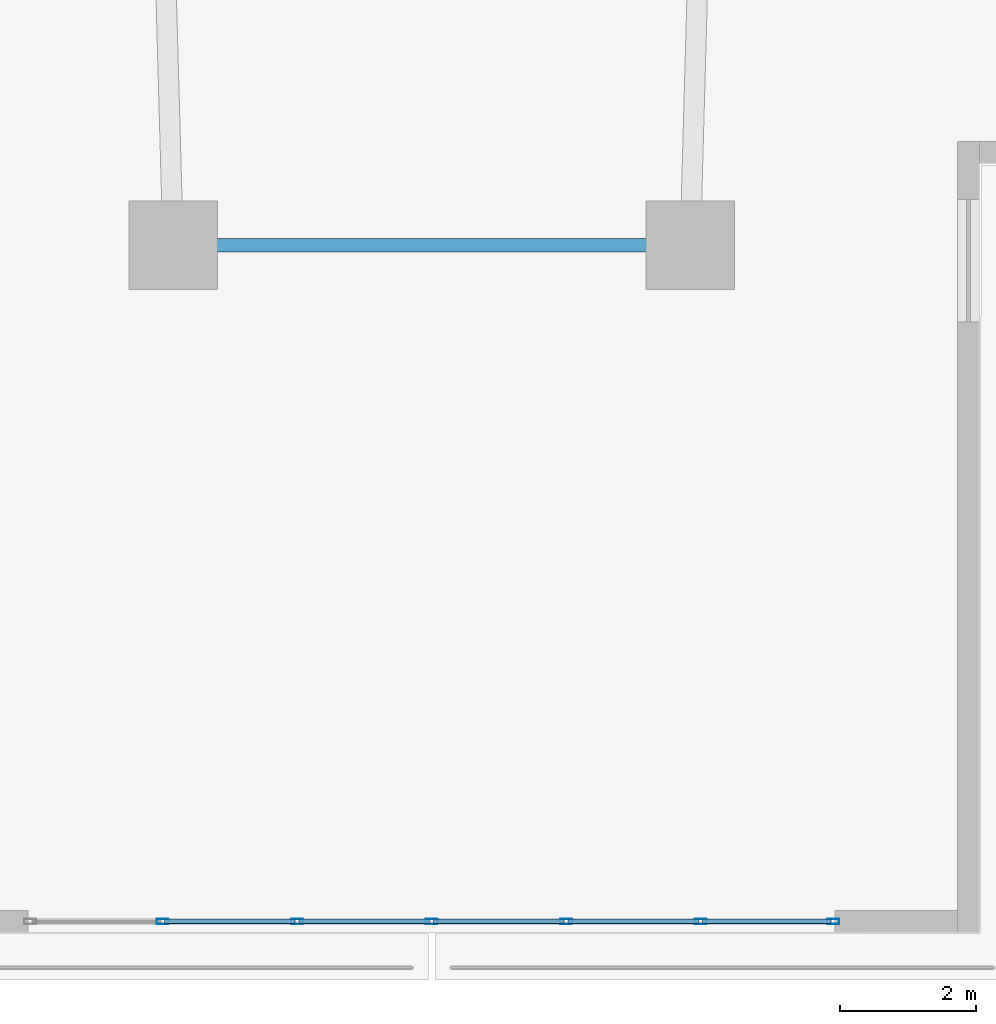
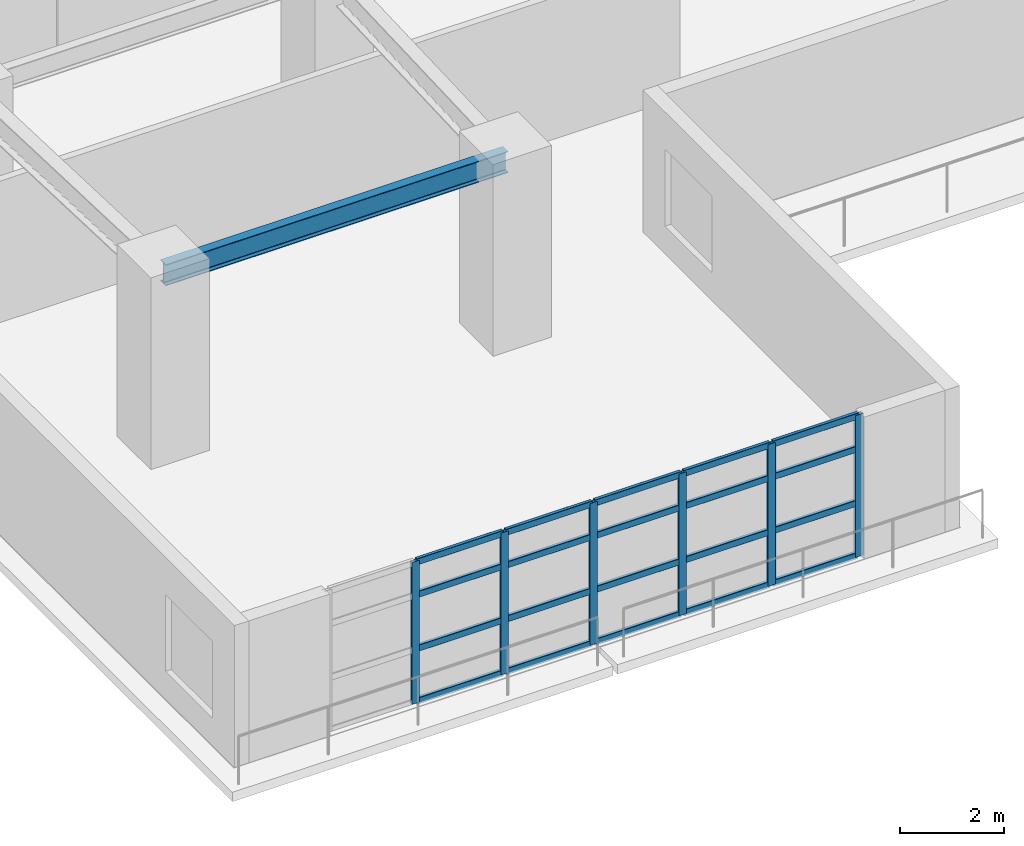
# One storey, part 5 of 24: 26 members, 1 beam, 1 element without a shape of its own.
"""IFC4 building model written with IfcOpenShell, lengths in metres."""

from ifc_helpers import new_model, si_unit, direction, frame, origin, origin_2d, place, context, subcontext, project, spatial, hollow_rectangle, i_section, extrude, material, layer, layer_set, material_profile, profile_set, type_object, element, aggregate, save


model = new_model("IFC4")

# Units and contexts
model_context = context("Model", 3, precision=1e-05, world=origin(), true_north=direction((0.0, 1.0)))
body_context = subcontext(model_context, "Body", "Model", "MODEL_VIEW")
ifc_project = project(units=[si_unit("LENGTHUNIT", "METRE"), si_unit("AREAUNIT", "SQUARE_METRE"), si_unit("VOLUMEUNIT", "CUBIC_METRE"), si_unit("PLANEANGLEUNIT", "RADIAN"), si_unit("MASSUNIT", "GRAM", prefix="KILO")], contexts=[model_context])

# Site, building, storey
site_placement = place(None, origin())
site = spatial("IfcSite", under=ifc_project, at=site_placement, CompositionType="ELEMENT")
building_placement = place(site_placement, origin())
building = spatial("IfcBuilding", under=site, at=building_placement, Name="Qingluan Cross Belvedere", CompositionType="ELEMENT")
storey_placement = place(building_placement, frame((0.0, 0.0, 14.699951171875)))
storey = spatial("IfcBuildingStorey", under=building, at=storey_placement, Name="L04", CompositionType="ELEMENT", Elevation=14.699951171875)

# Curtain wall, members
ifc_material_1 = material(Name="Thermally broken aluminium and Low-E glass", Category="aluminium")
ifc_layer = layer(ifc_material_1, 0.219970703125, Name="UnitisedCW_BallroomFoyer")
ifc_layer_set = layer_set([ifc_layer], Name="Thermally broken aluminium and Low-E glass")
curtain_wall_type = type_object("IfcCurtainWallType", Name="UnitisedCW_BallroomFoyer", PredefinedType="USERDEFINED", material=ifc_layer_set)
curtain_wall_placement = place(storey_placement, origin())
curtain_wall = element("IfcCurtainWall", 1, at=curtain_wall_placement, inside=storey, type_object=curtain_wall_type, Name="UnitisedCW_BallroomFoyer run env:cw:L04:S", ObjectType="UNITISED CURTAIN WALL", PredefinedType="USERDEFINED")
ifc_material_2 = material(Name="Aluminium alloy 6063-T6", Category="aluminium")
ifc_material_profile_1 = material_profile(ifc_material_2, hollow_rectangle(XDim=0.074951171875, YDim=0.179931640625, WallThickness=0.00390625, InnerFilletRadius=0.00390625, OuterFilletRadius=0.008056640625, at=origin_2d()), Name="CWM180x75x4")
ifc_profile_set_1 = profile_set([ifc_material_profile_1], Name="Aluminium alloy 6063-T6")
member_type_1 = type_object("IfcMemberType", Name="CWMullion_180", PredefinedType="MULLION", material=ifc_profile_set_1)
member_1_placement = place(storey_placement, frame((5.89990234375, -36.93994140625, 0.0), z_axis=(0.0, 0.0, 1.0), x_axis=(0.0, -1.0, 0.0)))
member_1 = element("IfcMember", 2, at=member_1_placement, type_object=member_type_1, Name="CW-P2 mullion 1", PredefinedType="MULLION", context=body_context, shape_type="SweptSolid", body=[
    extrude(hollow_rectangle(XDim=0.074951171875, YDim=0.179931640625, WallThickness=0.00390625, InnerFilletRadius=0.00390625, OuterFilletRadius=0.008056640625, at=origin_2d()), origin(), (0.0, 0.0, 1.0), 3.330078125),
])
member_2_placement = place(storey_placement, frame((3.953369140625, -36.93994140625, 0.0), z_axis=(0.0, 0.0, 1.0), x_axis=(0.0, -1.0, 0.0)))
member_2 = element("IfcMember", 3, at=member_2_placement, type_object=member_type_1, Name="CW-P2 mullion 2", PredefinedType="MULLION", context=body_context, shape_type="SweptSolid", body=[
    extrude(hollow_rectangle(XDim=0.074951171875, YDim=0.179931640625, WallThickness=0.00390625, InnerFilletRadius=0.00390625, OuterFilletRadius=0.008056640625, at=origin_2d()), origin(), (0.0, 0.0, 1.0), 3.330078125),
])
member_3_placement = place(storey_placement, frame((1.9765625, -36.93994140625, 0.0), z_axis=(0.0, 0.0, 1.0), x_axis=(0.0, -1.0, 0.0)))
member_3 = element("IfcMember", 4, at=member_3_placement, type_object=member_type_1, Name="CW-P2 mullion 3", PredefinedType="MULLION", context=body_context, shape_type="SweptSolid", body=[
    extrude(hollow_rectangle(XDim=0.074951171875, YDim=0.179931640625, WallThickness=0.00390625, InnerFilletRadius=0.00390625, OuterFilletRadius=0.008056640625, at=origin_2d()), origin(), (0.0, 0.0, 1.0), 3.330078125),
])
member_4_placement = place(storey_placement, frame((0.0, -36.93994140625, 0.0), z_axis=(0.0, 0.0, 1.0), x_axis=(0.0, -1.0, 0.0)))
member_4 = element("IfcMember", 5, at=member_4_placement, type_object=member_type_1, Name="CW-P2 mullion 4", PredefinedType="MULLION", context=body_context, shape_type="SweptSolid", body=[
    extrude(hollow_rectangle(XDim=0.074951171875, YDim=0.179931640625, WallThickness=0.00390625, InnerFilletRadius=0.00390625, OuterFilletRadius=0.008056640625, at=origin_2d()), origin(), (0.0, 0.0, 1.0), 3.330078125),
])
member_5_placement = place(storey_placement, frame((-1.9765625, -36.93994140625, 0.0), z_axis=(0.0, 0.0, 1.0), x_axis=(0.0, -1.0, 0.0)))
member_5 = element("IfcMember", 6, at=member_5_placement, type_object=member_type_1, Name="CW-P2 mullion 5", PredefinedType="MULLION", context=body_context, shape_type="SweptSolid", body=[
    extrude(hollow_rectangle(XDim=0.074951171875, YDim=0.179931640625, WallThickness=0.00390625, InnerFilletRadius=0.00390625, OuterFilletRadius=0.008056640625, at=origin_2d()), origin(), (0.0, 0.0, 1.0), 3.330078125),
])
member_6_placement = place(storey_placement, frame((-3.953369140625, -36.93994140625, 0.0), z_axis=(0.0, 0.0, 1.0), x_axis=(0.0, -1.0, 0.0)))
member_6 = element("IfcMember", 7, at=member_6_placement, type_object=member_type_1, Name="CW-P2 mullion 6", PredefinedType="MULLION", context=body_context, shape_type="SweptSolid", body=[
    extrude(hollow_rectangle(XDim=0.074951171875, YDim=0.179931640625, WallThickness=0.00390625, InnerFilletRadius=0.00390625, OuterFilletRadius=0.008056640625, at=origin_2d()), origin(), (0.0, 0.0, 1.0), 3.330078125),
])
ifc_material_3 = material(Name="Aluminium alloy 6063-T6", Category="aluminium")
ifc_material_profile_2 = material_profile(ifc_material_3, hollow_rectangle(XDim=0.074951171875, YDim=0.14990234375, WallThickness=0.00390625, InnerFilletRadius=0.00390625, OuterFilletRadius=0.008056640625, at=origin_2d()), Name="CWT150x75x4")
ifc_profile_set_2 = profile_set([ifc_material_profile_2], Name="Aluminium alloy 6063-T6")
member_type_2 = type_object("IfcMemberType", Name="CWTransom_150", PredefinedType="USERDEFINED", material=ifc_profile_set_2)
member_7_placement = place(storey_placement, frame((5.8701171875, -36.93994140625, 0.030029296875), z_axis=(-1.0, 0.0, 0.0), x_axis=(0.0, -1.0, 0.0)))
member_7 = element("IfcMember", 8, at=member_7_placement, type_object=member_type_2, Name="CW-P2 transom 1.1", ObjectType="TRANSOM", PredefinedType="USERDEFINED", context=body_context, shape_type="SweptSolid", body=[
    extrude(hollow_rectangle(XDim=0.074951171875, YDim=0.14990234375, WallThickness=0.00390625, InnerFilletRadius=0.00390625, OuterFilletRadius=0.008056640625, at=origin_2d()), origin(), (0.0, 0.0, 1.0), 1.88671875),
])
member_8_placement = place(storey_placement, frame((5.8701171875, -36.93994140625, 1.26513671875), z_axis=(-1.0, 0.0, 0.0), x_axis=(0.0, -1.0, 0.0)))
member_8 = element("IfcMember", 9, at=member_8_placement, type_object=member_type_2, Name="CW-P2 transom 1.2", ObjectType="TRANSOM", PredefinedType="USERDEFINED", context=body_context, shape_type="SweptSolid", body=[
    extrude(hollow_rectangle(XDim=0.074951171875, YDim=0.14990234375, WallThickness=0.00390625, InnerFilletRadius=0.00390625, OuterFilletRadius=0.008056640625, at=origin_2d()), origin(), (0.0, 0.0, 1.0), 1.88671875),
])
member_9_placement = place(storey_placement, frame((5.8701171875, -36.93994140625, 2.531005859375), z_axis=(-1.0, 0.0, 0.0), x_axis=(0.0, -1.0, 0.0)))
member_9 = element("IfcMember", 10, at=member_9_placement, type_object=member_type_2, Name="CW-P2 transom 1.3", ObjectType="TRANSOM", PredefinedType="USERDEFINED", context=body_context, shape_type="SweptSolid", body=[
    extrude(hollow_rectangle(XDim=0.074951171875, YDim=0.14990234375, WallThickness=0.00390625, InnerFilletRadius=0.00390625, OuterFilletRadius=0.008056640625, at=origin_2d()), origin(), (0.0, 0.0, 1.0), 1.88671875),
])
member_10_placement = place(storey_placement, frame((5.8701171875, -36.93994140625, 3.300048828125), z_axis=(-1.0, 0.0, 0.0), x_axis=(0.0, -1.0, 0.0)))
member_10 = element("IfcMember", 11, at=member_10_placement, type_object=member_type_2, Name="CW-P2 transom 1.4", ObjectType="TRANSOM", PredefinedType="USERDEFINED", context=body_context, shape_type="SweptSolid", body=[
    extrude(hollow_rectangle(XDim=0.074951171875, YDim=0.14990234375, WallThickness=0.00390625, InnerFilletRadius=0.00390625, OuterFilletRadius=0.008056640625, at=origin_2d()), origin(), (0.0, 0.0, 1.0), 1.88671875),
])
member_11_placement = place(storey_placement, frame((3.92333984375, -36.93994140625, 0.030029296875), z_axis=(-1.0, 0.0, 0.0), x_axis=(0.0, -1.0, 0.0)))
member_11 = element("IfcMember", 12, at=member_11_placement, type_object=member_type_2, Name="CW-P2 transom 2.1", ObjectType="TRANSOM", PredefinedType="USERDEFINED", context=body_context, shape_type="SweptSolid", body=[
    extrude(hollow_rectangle(XDim=0.074951171875, YDim=0.14990234375, WallThickness=0.00390625, InnerFilletRadius=0.00390625, OuterFilletRadius=0.008056640625, at=origin_2d()), origin(), (0.0, 0.0, 1.0), 1.916748046875),
])
member_12_placement = place(storey_placement, frame((3.92333984375, -36.93994140625, 1.26513671875), z_axis=(-1.0, 0.0, 0.0), x_axis=(0.0, -1.0, 0.0)))
member_12 = element("IfcMember", 13, at=member_12_placement, type_object=member_type_2, Name="CW-P2 transom 2.2", ObjectType="TRANSOM", PredefinedType="USERDEFINED", context=body_context, shape_type="SweptSolid", body=[
    extrude(hollow_rectangle(XDim=0.074951171875, YDim=0.14990234375, WallThickness=0.00390625, InnerFilletRadius=0.00390625, OuterFilletRadius=0.008056640625, at=origin_2d()), origin(), (0.0, 0.0, 1.0), 1.916748046875),
])
member_13_placement = place(storey_placement, frame((3.92333984375, -36.93994140625, 2.531005859375), z_axis=(-1.0, 0.0, 0.0), x_axis=(0.0, -1.0, 0.0)))
member_13 = element("IfcMember", 14, at=member_13_placement, type_object=member_type_2, Name="CW-P2 transom 2.3", ObjectType="TRANSOM", PredefinedType="USERDEFINED", context=body_context, shape_type="SweptSolid", body=[
    extrude(hollow_rectangle(XDim=0.074951171875, YDim=0.14990234375, WallThickness=0.00390625, InnerFilletRadius=0.00390625, OuterFilletRadius=0.008056640625, at=origin_2d()), origin(), (0.0, 0.0, 1.0), 1.916748046875),
])
member_14_placement = place(storey_placement, frame((3.92333984375, -36.93994140625, 3.300048828125), z_axis=(-1.0, 0.0, 0.0), x_axis=(0.0, -1.0, 0.0)))
member_14 = element("IfcMember", 15, at=member_14_placement, type_object=member_type_2, Name="CW-P2 transom 2.4", ObjectType="TRANSOM", PredefinedType="USERDEFINED", context=body_context, shape_type="SweptSolid", body=[
    extrude(hollow_rectangle(XDim=0.074951171875, YDim=0.14990234375, WallThickness=0.00390625, InnerFilletRadius=0.00390625, OuterFilletRadius=0.008056640625, at=origin_2d()), origin(), (0.0, 0.0, 1.0), 1.916748046875),
])
member_15_placement = place(storey_placement, frame((1.94677734375, -36.93994140625, 0.030029296875), z_axis=(-1.0, 0.0, 0.0), x_axis=(0.0, -1.0, 0.0)))
member_15 = element("IfcMember", 16, at=member_15_placement, type_object=member_type_2, Name="CW-P2 transom 3.1", ObjectType="TRANSOM", PredefinedType="USERDEFINED", context=body_context, shape_type="SweptSolid", body=[
    extrude(hollow_rectangle(XDim=0.074951171875, YDim=0.14990234375, WallThickness=0.00390625, InnerFilletRadius=0.00390625, OuterFilletRadius=0.008056640625, at=origin_2d()), origin(), (0.0, 0.0, 1.0), 1.916748046875),
])
member_16_placement = place(storey_placement, frame((1.94677734375, -36.93994140625, 1.26513671875), z_axis=(-1.0, 0.0, 0.0), x_axis=(0.0, -1.0, 0.0)))
member_16 = element("IfcMember", 17, at=member_16_placement, type_object=member_type_2, Name="CW-P2 transom 3.2", ObjectType="TRANSOM", PredefinedType="USERDEFINED", context=body_context, shape_type="SweptSolid", body=[
    extrude(hollow_rectangle(XDim=0.074951171875, YDim=0.14990234375, WallThickness=0.00390625, InnerFilletRadius=0.00390625, OuterFilletRadius=0.008056640625, at=origin_2d()), origin(), (0.0, 0.0, 1.0), 1.916748046875),
])
member_17_placement = place(storey_placement, frame((1.94677734375, -36.93994140625, 2.531005859375), z_axis=(-1.0, 0.0, 0.0), x_axis=(0.0, -1.0, 0.0)))
member_17 = element("IfcMember", 18, at=member_17_placement, type_object=member_type_2, Name="CW-P2 transom 3.3", ObjectType="TRANSOM", PredefinedType="USERDEFINED", context=body_context, shape_type="SweptSolid", body=[
    extrude(hollow_rectangle(XDim=0.074951171875, YDim=0.14990234375, WallThickness=0.00390625, InnerFilletRadius=0.00390625, OuterFilletRadius=0.008056640625, at=origin_2d()), origin(), (0.0, 0.0, 1.0), 1.916748046875),
])
member_18_placement = place(storey_placement, frame((1.94677734375, -36.93994140625, 3.300048828125), z_axis=(-1.0, 0.0, 0.0), x_axis=(0.0, -1.0, 0.0)))
member_18 = element("IfcMember", 19, at=member_18_placement, type_object=member_type_2, Name="CW-P2 transom 3.4", ObjectType="TRANSOM", PredefinedType="USERDEFINED", context=body_context, shape_type="SweptSolid", body=[
    extrude(hollow_rectangle(XDim=0.074951171875, YDim=0.14990234375, WallThickness=0.00390625, InnerFilletRadius=0.00390625, OuterFilletRadius=0.008056640625, at=origin_2d()), origin(), (0.0, 0.0, 1.0), 1.916748046875),
])
member_19_placement = place(storey_placement, frame((-0.030029296875, -36.93994140625, 0.030029296875), z_axis=(-1.0, 0.0, 0.0), x_axis=(0.0, -1.0, 0.0)))
member_19 = element("IfcMember", 20, at=member_19_placement, type_object=member_type_2, Name="CW-P2 transom 4.1", ObjectType="TRANSOM", PredefinedType="USERDEFINED", context=body_context, shape_type="SweptSolid", body=[
    extrude(hollow_rectangle(XDim=0.074951171875, YDim=0.14990234375, WallThickness=0.00390625, InnerFilletRadius=0.00390625, OuterFilletRadius=0.008056640625, at=origin_2d()), origin(), (0.0, 0.0, 1.0), 1.916748046875),
])
member_20_placement = place(storey_placement, frame((-0.030029296875, -36.93994140625, 1.26513671875), z_axis=(-1.0, 0.0, 0.0), x_axis=(0.0, -1.0, 0.0)))
member_20 = element("IfcMember", 21, at=member_20_placement, type_object=member_type_2, Name="CW-P2 transom 4.2", ObjectType="TRANSOM", PredefinedType="USERDEFINED", context=body_context, shape_type="SweptSolid", body=[
    extrude(hollow_rectangle(XDim=0.074951171875, YDim=0.14990234375, WallThickness=0.00390625, InnerFilletRadius=0.00390625, OuterFilletRadius=0.008056640625, at=origin_2d()), origin(), (0.0, 0.0, 1.0), 1.916748046875),
])
member_21_placement = place(storey_placement, frame((-0.030029296875, -36.93994140625, 2.531005859375), z_axis=(-1.0, 0.0, 0.0), x_axis=(0.0, -1.0, 0.0)))
member_21 = element("IfcMember", 22, at=member_21_placement, type_object=member_type_2, Name="CW-P2 transom 4.3", ObjectType="TRANSOM", PredefinedType="USERDEFINED", context=body_context, shape_type="SweptSolid", body=[
    extrude(hollow_rectangle(XDim=0.074951171875, YDim=0.14990234375, WallThickness=0.00390625, InnerFilletRadius=0.00390625, OuterFilletRadius=0.008056640625, at=origin_2d()), origin(), (0.0, 0.0, 1.0), 1.916748046875),
])
member_22_placement = place(storey_placement, frame((-0.030029296875, -36.93994140625, 3.300048828125), z_axis=(-1.0, 0.0, 0.0), x_axis=(0.0, -1.0, 0.0)))
member_22 = element("IfcMember", 23, at=member_22_placement, type_object=member_type_2, Name="CW-P2 transom 4.4", ObjectType="TRANSOM", PredefinedType="USERDEFINED", context=body_context, shape_type="SweptSolid", body=[
    extrude(hollow_rectangle(XDim=0.074951171875, YDim=0.14990234375, WallThickness=0.00390625, InnerFilletRadius=0.00390625, OuterFilletRadius=0.008056640625, at=origin_2d()), origin(), (0.0, 0.0, 1.0), 1.916748046875),
])
member_23_placement = place(storey_placement, frame((-2.006591796875, -36.93994140625, 0.030029296875), z_axis=(-1.0, 0.0, 0.0), x_axis=(0.0, -1.0, 0.0)))
member_23 = element("IfcMember", 24, at=member_23_placement, type_object=member_type_2, Name="CW-P2 transom 5.1", ObjectType="TRANSOM", PredefinedType="USERDEFINED", context=body_context, shape_type="SweptSolid", body=[
    extrude(hollow_rectangle(XDim=0.074951171875, YDim=0.14990234375, WallThickness=0.00390625, InnerFilletRadius=0.00390625, OuterFilletRadius=0.008056640625, at=origin_2d()), origin(), (0.0, 0.0, 1.0), 1.916748046875),
])
member_24_placement = place(storey_placement, frame((-2.006591796875, -36.93994140625, 1.26513671875), z_axis=(-1.0, 0.0, 0.0), x_axis=(0.0, -1.0, 0.0)))
member_24 = element("IfcMember", 25, at=member_24_placement, type_object=member_type_2, Name="CW-P2 transom 5.2", ObjectType="TRANSOM", PredefinedType="USERDEFINED", context=body_context, shape_type="SweptSolid", body=[
    extrude(hollow_rectangle(XDim=0.074951171875, YDim=0.14990234375, WallThickness=0.00390625, InnerFilletRadius=0.00390625, OuterFilletRadius=0.008056640625, at=origin_2d()), origin(), (0.0, 0.0, 1.0), 1.916748046875),
])
member_25_placement = place(storey_placement, frame((-2.006591796875, -36.93994140625, 2.531005859375), z_axis=(-1.0, 0.0, 0.0), x_axis=(0.0, -1.0, 0.0)))
member_25 = element("IfcMember", 26, at=member_25_placement, type_object=member_type_2, Name="CW-P2 transom 5.3", ObjectType="TRANSOM", PredefinedType="USERDEFINED", context=body_context, shape_type="SweptSolid", body=[
    extrude(hollow_rectangle(XDim=0.074951171875, YDim=0.14990234375, WallThickness=0.00390625, InnerFilletRadius=0.00390625, OuterFilletRadius=0.008056640625, at=origin_2d()), origin(), (0.0, 0.0, 1.0), 1.916748046875),
])
member_26_placement = place(storey_placement, frame((-2.006591796875, -36.93994140625, 3.300048828125), z_axis=(-1.0, 0.0, 0.0), x_axis=(0.0, -1.0, 0.0)))
member_26 = element("IfcMember", 27, at=member_26_placement, type_object=member_type_2, Name="CW-P2 transom 5.4", ObjectType="TRANSOM", PredefinedType="USERDEFINED", context=body_context, shape_type="SweptSolid", body=[
    extrude(hollow_rectangle(XDim=0.074951171875, YDim=0.14990234375, WallThickness=0.00390625, InnerFilletRadius=0.00390625, OuterFilletRadius=0.008056640625, at=origin_2d()), origin(), (0.0, 0.0, 1.0), 1.916748046875),
])
aggregate(curtain_wall, [member_1, member_2, member_3, member_4, member_5, member_6, member_7, member_8, member_9, member_10, member_11, member_12, member_13, member_14, member_15, member_16, member_17, member_18, member_19, member_20, member_21, member_22, member_23, member_24, member_25, member_26])

# Beam
ifc_material_4 = material(Name="Steel Q420GJB", Category="steel")
ifc_material_profile_3 = material_profile(ifc_material_4, i_section(OverallWidth=0.199951171875, OverallDepth=0.5, WebThickness=0.010009765625, FlangeThickness=0.01611328125, FilletRadius=0.01611328125, at=origin_2d()), Name="HN500x200x10x16")
ifc_profile_set_3 = profile_set([ifc_material_profile_3], Name="Steel Q420GJB")
beam_type = type_object("IfcBeamType", Name="Steel_Beam_HN500x200x10x16", PredefinedType="JOIST", material=ifc_profile_set_3)
beam_placement = place(storey_placement, frame((-3.800048828125, -27.0, 4.0), z_axis=(1.0, 0.0, 0.0), x_axis=(0.0, 1.0, 0.0)))
element("IfcBeam", 28, at=beam_placement, inside=storey, type_object=beam_type, Name="Arm S tip transverse beam L04", PredefinedType="JOIST", context=body_context, shape_type="SweptSolid", body=[
    extrude(i_section(OverallWidth=0.199951171875, OverallDepth=0.5, WebThickness=0.010009765625, FlangeThickness=0.01611328125, FilletRadius=0.01611328125, at=origin_2d()), origin(), (0.0, 0.0, 1.0), 7.60009765625),
])

save(model, "model.ifc")
